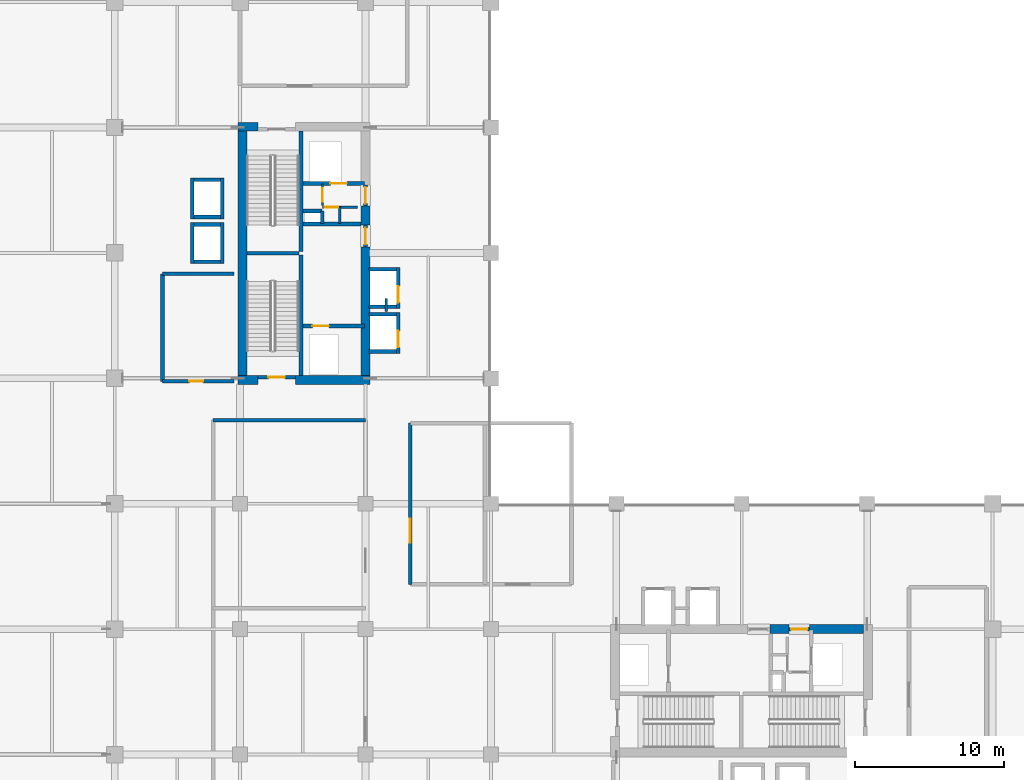
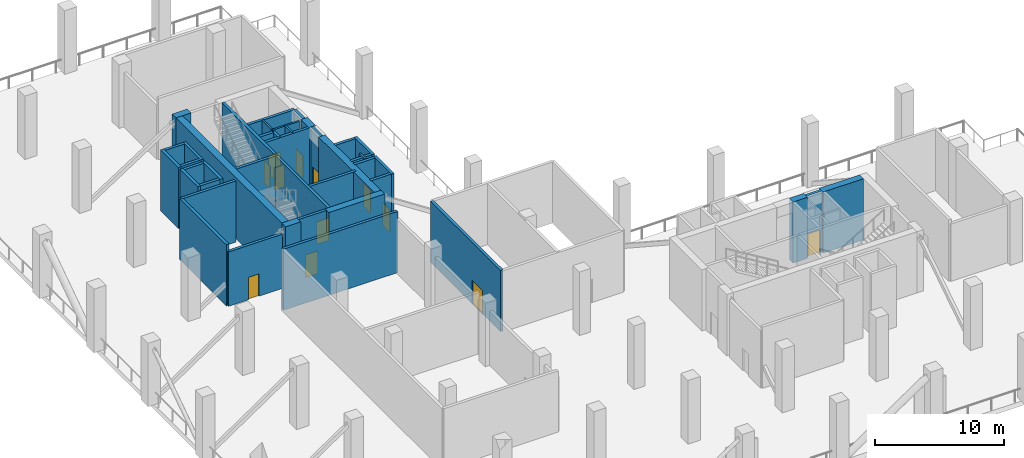
# One storey, part 12 of 18: 43 walls, 12 doors, 12 openings.
"""IFC4 building model written with IfcOpenShell, lengths in metres."""

from ifc_helpers import new_model, si_unit, direction, frame, frame_2d, origin, place, context, subcontext, project, spatial, rectangle, extrude, material, layer, layer_set, type_object, element, fill, save


model = new_model("IFC4")

# Units and contexts
model_context = context("Model", 3, precision=1e-05, world=origin(), true_north=direction((0.0, 1.0)))
body_context = subcontext(model_context, "Body", "Model", "MODEL_VIEW")
ifc_project = project(units=[si_unit("LENGTHUNIT", "METRE"), si_unit("AREAUNIT", "SQUARE_METRE"), si_unit("VOLUMEUNIT", "CUBIC_METRE"), si_unit("PLANEANGLEUNIT", "RADIAN"), si_unit("MASSUNIT", "GRAM", prefix="KILO")], contexts=[model_context])

# Site, building, storey
site_placement = place(None, origin())
site = spatial("IfcSite", under=ifc_project, at=site_placement, CompositionType="ELEMENT")
building_placement = place(site_placement, origin())
building = spatial("IfcBuilding", under=site, at=building_placement, Name="Koriwani Terraces Tower", CompositionType="ELEMENT")
storey_placement = place(building_placement, frame((0.0, 0.0, 228.199951171875)))
storey = spatial("IfcBuildingStorey", under=building, at=storey_placement, Name="L56", CompositionType="ELEMENT", Elevation=228.199951171875)

# Walls
ifc_material_1 = material(Name="Concrete C60/75", Category="concrete")
ifc_layer_1 = layer(ifc_material_1, 0.60009765625, Name="Concrete C60/75")
ifc_layer_set_1 = layer_set([ifc_layer_1], Name="Concrete C60/75")
wall_type_1 = type_object("IfcWallType", Name="WALL_CORE_RC_600", PredefinedType="SHEAR", material=ifc_layer_set_1)
wall_1_placement = place(storey_placement, frame((16.64990234375, 41.89990234375, 0.0), z_axis=(0.0, 0.0, 1.0), x_axis=(1.0, 0.0, 0.0)))
element("IfcWall", 1, at=wall_1_placement, inside=storey, type_object=wall_type_1, Name="L56 West Split Core Shear Wall S1", PredefinedType="SHEAR", context=body_context, shape_type="SweptSolid", body=[
    extrude(rectangle(XDim=1.35009765625, YDim=0.60009765625, at=frame_2d((0.675048828125, 0.0))), origin(), (0.0, 0.0, 1.0), 5.77001953125),
])
wall_2_placement = place(storey_placement, frame((20.5, 41.89990234375, 0.0), z_axis=(0.0, 0.0, 1.0), x_axis=(1.0, 0.0, 0.0)))
element("IfcWall", 2, at=wall_2_placement, inside=storey, type_object=wall_type_1, Name="L56 West Split Core Shear Wall S2", PredefinedType="SHEAR", context=body_context, shape_type="SweptSolid", body=[
    extrude(rectangle(XDim=5.0, YDim=0.60009765625, at=frame_2d((2.5, 0.0))), origin(), (0.0, 0.0, 1.0), 5.77001953125),
])
wall_3_placement = place(storey_placement, frame((16.64990234375, 58.85009765625, 0.0), z_axis=(0.0, 0.0, 1.0), x_axis=(1.0, 0.0, 0.0)))
element("IfcWall", 3, at=wall_3_placement, inside=storey, type_object=wall_type_1, Name="L56 West Split Core Shear Wall N1", PredefinedType="SHEAR", context=body_context, shape_type="SweptSolid", body=[
    extrude(rectangle(XDim=1.35009765625, YDim=0.60009765625, at=frame_2d((0.675048828125, 0.0))), origin(), (0.0, 0.0, 1.0), 5.77001953125),
])
wall_4_placement = place(storey_placement, frame((16.949951171875, 42.199951171875, 0.0), z_axis=(0.0, 0.0, 1.0), x_axis=(0.0, 1.0, 0.0)))
element("IfcWall", 4, at=wall_4_placement, inside=storey, type_object=wall_type_1, Name="L56 West Split Core Shear Wall W1", PredefinedType="SHEAR", context=body_context, shape_type="SweptSolid", body=[
    extrude(rectangle(XDim=16.35009765625, YDim=0.60009765625, at=frame_2d((8.175048828125, 0.0))), origin(), (0.0, 0.0, 1.0), 5.77001953125),
])
wall_5_placement = place(storey_placement, frame((25.199951171875, 42.199951171875, 0.0), z_axis=(0.0, 0.0, 1.0), x_axis=(0.0, 1.0, 0.0)))
element("IfcWall", 5, at=wall_5_placement, inside=storey, type_object=wall_type_1, Name="L56 West Split Core Shear Wall E1", PredefinedType="SHEAR", context=body_context, shape_type="SweptSolid", body=[
    extrude(rectangle(XDim=8.60009765625, YDim=0.60009765625, at=frame_2d((4.300048828125, 0.0))), origin(), (0.0, 0.0, 1.0), 5.77001953125),
])
for number, where, z_axis, x_axis, name in (
    (6, (25.199951171875, 52.280029296875, 0.0), (0.0, 0.0, 1.0), (0.0, 1.0, 0.0), "L56 West Split Core Shear Wall E2"),
    (7, (52.280029296875, 25.199951171875, 0.0), (0.0, 0.0, 1.0), (1.0, 0.0, 0.0), "L56 East Split Core Shear Wall N2"),
):
    element("IfcWall", number, at=place(storey_placement, frame(where, z_axis=z_axis, x_axis=x_axis)), inside=storey, type_object=wall_type_1, Name=name, PredefinedType="SHEAR", context=body_context, shape_type="SweptSolid", body=[
        extrude(rectangle(XDim=1.27001953125, YDim=0.60009765625, at=frame_2d((0.635009765625, 0.0))), origin(), (0.0, 0.0, 1.0), 5.77001953125),
    ])
wall_6_placement = place(storey_placement, frame((54.949951171875, 25.199951171875, 0.0), z_axis=(0.0, 0.0, 1.0), x_axis=(1.0, 0.0, 0.0)))
element("IfcWall", 8, at=wall_6_placement, inside=storey, type_object=wall_type_1, Name="L56 East Split Core Shear Wall N3", PredefinedType="SHEAR", context=body_context, shape_type="SweptSolid", body=[
    extrude(rectangle(XDim=3.60009765625, YDim=0.60009765625, at=frame_2d((1.800048828125, 0.0))), origin(), (0.0, 0.0, 1.0), 5.77001953125),
])
ifc_material_2 = material(Name="Concrete C40/50", Category="concrete")
ifc_layer_2 = layer(ifc_material_2, 0.25, Name="Concrete C40/50")
ifc_layer_set_2 = layer_set([ifc_layer_2], Name="Concrete C40/50")
wall_type_2 = type_object("IfcWallType", Name="WALL_SHAFT_RATED_250", PredefinedType="SOLIDWALL", material=ifc_layer_set_2)
for number, where, z_axis, x_axis, name in (
    (9, (20.875, 42.199951171875, 0.0), (0.0, 0.0, 1.0), (0.0, 1.0, 0.0), "L56 West Split Core Web Wall MID1"),
    (10, (20.875, 50.5, 0.0), (0.0, 0.0, 1.0), (0.0, 1.0, 0.0), "L56 West Split Core Web Wall MID2"),
):
    element("IfcWall", number, at=place(storey_placement, frame(where, z_axis=z_axis, x_axis=x_axis)), inside=storey, type_object=wall_type_2, Name=name, PredefinedType="SOLIDWALL", context=body_context, shape_type="SweptSolid", body=[
        extrude(rectangle(XDim=8.050048828125, YDim=0.25, at=frame_2d((4.02490234375, 0.0))), origin(), (0.0, 0.0, 1.0), 5.77001953125),
    ])
wall_7_placement = place(storey_placement, frame((17.25, 50.375, 0.0), z_axis=(0.0, 0.0, 1.0), x_axis=(1.0, 0.0, 0.0)))
element("IfcWall", 11, at=wall_7_placement, inside=storey, type_object=wall_type_2, Name="L56 West Split Core Stair Dividing Wall", PredefinedType="SOLIDWALL", context=body_context, shape_type="SweptSolid", body=[
    extrude(rectangle(XDim=3.5, YDim=0.25, at=frame_2d((1.75, 0.0))), origin(), (0.0, 0.0, 1.0), 5.77001953125),
])

# Wall, opening, door
wall_8_placement = place(storey_placement, frame((18.0, 42.074951171875, 0.0), z_axis=(0.0, 0.0, 1.0), x_axis=(1.0, 0.0, 0.0)))
wall_8 = element("IfcWall", 12, at=wall_8_placement, inside=storey, type_object=wall_type_2, Name="L56 Interior Wall WIN-CW-L56-STS", PredefinedType="SOLIDWALL", context=body_context, shape_type="SweptSolid", body=[
    extrude(rectangle(XDim=2.5, YDim=0.25, at=frame_2d((1.25, 0.0))), origin(), (0.0, 0.0, 1.0), 5.77001953125),
])
opening_1_placement = place(wall_8_placement, frame((0.699951171875, 0.0, 0.0)))
opening_1 = element("IfcOpeningElement", 13, at=opening_1_placement, cuts=wall_8, Name="Opening D-03", PredefinedType="OPENING", context=body_context, shape_type="SweptSolid", body=[
    extrude(rectangle(XDim=1.10009765625, YDim=2.14990234375, at=frame_2d((0.550048828125, 1.074951171875))), frame((0.0, 0.135009765625, 0.0), z_axis=(0.0, -1.0, 0.0), x_axis=(1.0, 0.0, 0.0)), (0.0, 0.0, 1.0), 0.27001953125),
])
ifc_material_3 = material(Name="Steel ASTM A572 Grade 50", Category="steel")
door_type_1 = type_object("IfcDoorType", Name="DOOR_STAIR_FIRE_1100X2150", OperationType="NOTDEFINED", PredefinedType="DOOR", material=ifc_material_3)
door_1_placement = place(opening_1_placement, origin())
door_1 = element("IfcDoor", 14, at=door_1_placement, inside=storey, type_object=door_type_1, Name="L56 Exit Stair ST-W1 Door", OperationType="SINGLE_SWING_RIGHT", OverallHeight=2.14990234375, OverallWidth=1.10009765625, PredefinedType="DOOR", context=body_context, shape_type="SweptSolid", body=[
    extrude(rectangle(XDim=1.10009765625, YDim=2.14990234375, at=frame_2d((0.550048828125, 1.074951171875))), frame((0.0, 0.02490234375, 0.0), z_axis=(0.0, -1.0, 0.0), x_axis=(1.0, 0.0, 0.0)), (0.0, 0.0, 1.0), 0.050048828125),
])
fill(opening_1, door_1)

wall_9_placement = place(storey_placement, frame((21.0, 45.5, 0.0), z_axis=(0.0, 0.0, 1.0), x_axis=(1.0, 0.0, 0.0)))
wall_9 = element("IfcWall", 15, at=wall_9_placement, inside=storey, type_object=wall_type_2, Name="L56 Interior Wall WIN-CW-L56-FE", PredefinedType="SOLIDWALL", context=body_context, shape_type="SweptSolid", body=[
    extrude(rectangle(XDim=4.14990234375, YDim=0.25, at=frame_2d((2.074951171875, 0.0))), origin(), (0.0, 0.0, 1.0), 5.77001953125),
])
opening_2_placement = place(wall_9_placement, frame((0.64990234375, 0.0, 0.0)))
opening_2 = element("IfcOpeningElement", 16, at=opening_2_placement, cuts=wall_9, Name="Opening LD-01", PredefinedType="OPENING", context=body_context, shape_type="SweptSolid", body=[
    extrude(rectangle(XDim=1.10009765625, YDim=2.14990234375, at=frame_2d((0.550048828125, 1.074951171875))), frame((0.0, 0.135009765625, 0.0), z_axis=(0.0, -1.0, 0.0), x_axis=(1.0, 0.0, 0.0)), (0.0, 0.0, 1.0), 0.27001953125),
])
door_type_2 = type_object("IfcDoorType", Name="DOOR_LIFT_LANDING_1100X2200", OperationType="NOTDEFINED", PredefinedType="DOOR", material=ifc_material_3)
door_2_placement = place(opening_2_placement, origin())
door_2 = element("IfcDoor", 17, at=door_2_placement, inside=storey, type_object=door_type_2, Name="L56 Firefighting Lift FE-01 Landing Door", OperationType="SLIDING_TO_LEFT", OverallHeight=2.14990234375, OverallWidth=1.10009765625, PredefinedType="DOOR", context=body_context, shape_type="SweptSolid", body=[
    extrude(rectangle(XDim=1.10009765625, YDim=2.14990234375, at=frame_2d((0.550048828125, 1.074951171875))), frame((0.0, 0.02490234375, 0.0), z_axis=(0.0, -1.0, 0.0), x_axis=(1.0, 0.0, 0.0)), (0.0, 0.0, 1.0), 0.050048828125),
])
fill(opening_2, door_2)

wall_10_placement = place(storey_placement, frame((25.199951171875, 50.800048828125, 0.0), z_axis=(0.0, 0.0, 1.0), x_axis=(0.0, 1.0, 0.0)))
wall_10 = element("IfcWall", 18, at=wall_10_placement, inside=storey, type_object=wall_type_2, Name="L56 Interior Wall WIN-CW-L56-EP", PredefinedType="SOLIDWALL", context=body_context, shape_type="SweptSolid", body=[
    extrude(rectangle(XDim=1.47998046875, YDim=0.25, at=frame_2d((0.739990234375, 0.0))), origin(), (0.0, 0.0, 1.0), 5.77001953125),
])
opening_3_placement = place(wall_10_placement, frame((0.179931640625, 0.0, 0.0)))
opening_3 = element("IfcOpeningElement", 19, at=opening_3_placement, cuts=wall_10, Name="Opening D-03", PredefinedType="OPENING", context=body_context, shape_type="SweptSolid", body=[
    extrude(rectangle(XDim=1.10009765625, YDim=2.14990234375, at=frame_2d((0.550048828125, 1.074951171875))), frame((0.0, 0.135009765625, 0.0), z_axis=(0.0, -1.0, 0.0), x_axis=(1.0, 0.0, 0.0)), (0.0, 0.0, 1.0), 0.27001953125),
])
door_3_placement = place(opening_3_placement, origin())
door_3 = element("IfcDoor", 20, at=door_3_placement, inside=storey, type_object=door_type_1, Name="L56 West Firefighting Lobby Door", OperationType="SINGLE_SWING_RIGHT", OverallHeight=2.14990234375, OverallWidth=1.10009765625, PredefinedType="DOOR", context=body_context, shape_type="SweptSolid", body=[
    extrude(rectangle(XDim=1.10009765625, YDim=2.14990234375, at=frame_2d((0.550048828125, 1.074951171875))), frame((0.0, 0.02490234375, 0.0), z_axis=(0.0, -1.0, 0.0), x_axis=(1.0, 0.0, 0.0)), (0.0, 0.0, 1.0), 0.050048828125),
])
fill(opening_3, door_3)

# Wall
wall_11_placement = place(storey_placement, frame((21.0, 52.340087890625, 0.0), z_axis=(0.0, 0.0, 1.0), x_axis=(1.0, 0.0, 0.0)))
element("IfcWall", 21, at=wall_11_placement, inside=storey, type_object=wall_type_2, Name="L56 Interior Wall WIN-CW-L56-FFN", PredefinedType="SOLIDWALL", context=body_context, shape_type="SweptSolid", body=[
    extrude(rectangle(XDim=3.89990234375, YDim=0.25, at=frame_2d((1.949951171875, 0.0))), origin(), (0.0, 0.0, 1.0), 5.77001953125),
])

# Wall, opening, door
wall_12_placement = place(storey_placement, frame((21.0, 55.050048828125, 0.0), z_axis=(0.0, 0.0, 1.0), x_axis=(1.0, 0.0, 0.0)))
wall_12 = element("IfcWall", 22, at=wall_12_placement, inside=storey, type_object=wall_type_2, Name="L56 Interior Wall WIN-CW-L56-SE", PredefinedType="SOLIDWALL", context=body_context, shape_type="SweptSolid", body=[
    extrude(rectangle(XDim=4.14990234375, YDim=0.25, at=frame_2d((2.074951171875, 0.0))), origin(), (0.0, 0.0, 1.0), 5.77001953125),
])
opening_4_placement = place(wall_12_placement, frame((1.85009765625, 0.0, 0.0)))
opening_4 = element("IfcOpeningElement", 23, at=opening_4_placement, cuts=wall_12, Name="Opening LD-01", PredefinedType="OPENING", context=body_context, shape_type="SweptSolid", body=[
    extrude(rectangle(XDim=1.10009765625, YDim=2.14990234375, at=frame_2d((0.550048828125, 1.074951171875))), frame((0.0, 0.135009765625, 0.0), z_axis=(0.0, -1.0, 0.0), x_axis=(1.0, 0.0, 0.0)), (0.0, 0.0, 1.0), 0.27001953125),
])
door_4_placement = place(opening_4_placement, origin())
door_4 = element("IfcDoor", 24, at=door_4_placement, inside=storey, type_object=door_type_2, Name="L56 Goods Lift SE-01 Landing Door", OperationType="SLIDING_TO_LEFT", OverallHeight=2.14990234375, OverallWidth=1.10009765625, PredefinedType="DOOR", context=body_context, shape_type="SweptSolid", body=[
    extrude(rectangle(XDim=1.10009765625, YDim=2.14990234375, at=frame_2d((0.550048828125, 1.074951171875))), frame((0.0, 0.02490234375, 0.0), z_axis=(0.0, -1.0, 0.0), x_axis=(1.0, 0.0, 0.0)), (0.0, 0.0, 1.0), 0.050048828125),
])
fill(opening_4, door_4)

wall_13_placement = place(storey_placement, frame((25.199951171875, 53.550048828125, 0.0), z_axis=(0.0, 0.0, 1.0), x_axis=(0.0, 1.0, 0.0)))
wall_13 = element("IfcWall", 25, at=wall_13_placement, inside=storey, type_object=wall_type_2, Name="L56 Interior Wall WIN-CW-L56-EP2", PredefinedType="SOLIDWALL", context=body_context, shape_type="SweptSolid", body=[
    extrude(rectangle(XDim=1.39990234375, YDim=0.25, at=frame_2d((0.699951171875, 0.0))), origin(), (0.0, 0.0, 1.0), 5.77001953125),
])
opening_5_placement = place(wall_13_placement, frame((0.14990234375, 0.0, 0.0)))
opening_5 = element("IfcOpeningElement", 26, at=opening_5_placement, cuts=wall_13, Name="Opening D-03", PredefinedType="OPENING", context=body_context, shape_type="SweptSolid", body=[
    extrude(rectangle(XDim=1.10009765625, YDim=2.14990234375, at=frame_2d((0.550048828125, 1.074951171875))), frame((0.0, 0.135009765625, 0.0), z_axis=(0.0, -1.0, 0.0), x_axis=(1.0, 0.0, 0.0)), (0.0, 0.0, 1.0), 0.27001953125),
])
door_5_placement = place(opening_5_placement, origin())
door_5 = element("IfcDoor", 27, at=door_5_placement, inside=storey, type_object=door_type_1, Name="L56 West Goods Lift Lobby Door", OperationType="SINGLE_SWING_LEFT", OverallHeight=2.14990234375, OverallWidth=1.10009765625, PredefinedType="DOOR", context=body_context, shape_type="SweptSolid", body=[
    extrude(rectangle(XDim=1.10009765625, YDim=2.14990234375, at=frame_2d((0.550048828125, 1.074951171875))), frame((0.0, 0.02490234375, 0.0), z_axis=(0.0, -1.0, 0.0), x_axis=(1.0, 0.0, 0.0)), (0.0, 0.0, 1.0), 0.050048828125),
])
fill(opening_5, door_5)

# Walls
wall_14_placement = place(storey_placement, frame((21.0, 53.199951171875, 0.0), z_axis=(0.0, 0.0, 1.0), x_axis=(1.0, 0.0, 0.0)))
element("IfcWall", 28, at=wall_14_placement, inside=storey, type_object=wall_type_2, Name="L56 Interior Wall WIN-CW-L56-RS1", PredefinedType="SOLIDWALL", context=body_context, shape_type="SweptSolid", body=[
    extrude(rectangle(XDim=1.300048828125, YDim=0.25, at=frame_2d((0.64990234375, 0.0))), origin(), (0.0, 0.0, 1.0), 5.77001953125),
])
wall_15_placement = place(storey_placement, frame((22.300048828125, 52.360107421875, 0.0), z_axis=(0.0, 0.0, 1.0), x_axis=(0.0, 1.0, 0.0)))
element("IfcWall", 29, at=wall_15_placement, inside=storey, type_object=wall_type_2, Name="L56 Interior Wall WIN-CW-L56-RS2", PredefinedType="SOLIDWALL", context=body_context, shape_type="SweptSolid", body=[
    extrude(rectangle(XDim=0.83984375, YDim=0.25, at=frame_2d((0.419921875, 0.0))), origin(), (0.0, 0.0, 1.0), 5.77001953125),
])

# Wall, opening, door
wall_16_placement = place(storey_placement, frame((53.550048828125, 25.199951171875, 0.0), z_axis=(0.0, 0.0, 1.0), x_axis=(1.0, 0.0, 0.0)))
wall_16 = element("IfcWall", 30, at=wall_16_placement, inside=storey, type_object=wall_type_2, Name="L56 Interior Wall WIN-CE-L56-NP2", PredefinedType="SOLIDWALL", context=body_context, shape_type="SweptSolid", body=[
    extrude(rectangle(XDim=1.39990234375, YDim=0.25, at=frame_2d((0.699951171875, 0.0))), origin(), (0.0, 0.0, 1.0), 5.77001953125),
])
opening_6_placement = place(wall_16_placement, frame((0.14990234375, 0.0, 0.0)))
opening_6 = element("IfcOpeningElement", 31, at=opening_6_placement, cuts=wall_16, Name="Opening D-03", PredefinedType="OPENING", context=body_context, shape_type="SweptSolid", body=[
    extrude(rectangle(XDim=1.10009765625, YDim=2.14990234375, at=frame_2d((0.550048828125, 1.074951171875))), frame((0.0, 0.135009765625, 0.0), z_axis=(0.0, -1.0, 0.0), x_axis=(1.0, 0.0, 0.0)), (0.0, 0.0, 1.0), 0.27001953125),
])
door_6_placement = place(opening_6_placement, origin())
door_6 = element("IfcDoor", 32, at=door_6_placement, inside=storey, type_object=door_type_1, Name="L56 East Goods Lift Lobby Door", OperationType="SINGLE_SWING_RIGHT", OverallHeight=2.14990234375, OverallWidth=1.10009765625, PredefinedType="DOOR", context=body_context, shape_type="SweptSolid", body=[
    extrude(rectangle(XDim=1.10009765625, YDim=2.14990234375, at=frame_2d((0.550048828125, 1.074951171875))), frame((0.0, 0.02490234375, 0.0), z_axis=(0.0, -1.0, 0.0), x_axis=(1.0, 0.0, 0.0)), (0.0, 0.0, 1.0), 0.050048828125),
])
fill(opening_6, door_6)

# Walls
for number, where, z_axis, x_axis, name in (
    (33, (13.60009765625, 49.675048828125, 0.0), (0.0, 0.0, 1.0), (0.0, 1.0, 0.0), "L56 Interior Wall WIN-LF-PE-M1-L56-F"),
    (34, (15.60009765625, 49.675048828125, 0.0), (0.0, 0.0, 1.0), (0.0, 1.0, 0.0), "L56 Interior Wall WIN-LF-PE-M1-L56-B"),
):
    element("IfcWall", number, at=place(storey_placement, frame(where, z_axis=z_axis, x_axis=x_axis)), inside=storey, type_object=wall_type_2, Name=name, PredefinedType="SOLIDWALL", context=body_context, shape_type="SweptSolid", body=[
        extrude(rectangle(XDim=2.75, YDim=0.25, at=frame_2d((1.375, 0.0))), origin(), (0.0, 0.0, 1.0), 5.77001953125),
    ])
for number, where, z_axis, x_axis, name in (
    (35, (13.72509765625, 49.800048828125, 0.0), (0.0, 0.0, 1.0), (1.0, 0.0, 0.0), "L56 Interior Wall WIN-LF-PE-M1-L56-S"),
    (36, (13.72509765625, 52.300048828125, 0.0), (0.0, 0.0, 1.0), (1.0, 0.0, 0.0), "L56 Interior Wall WIN-LF-PE-M1-L56-N"),
):
    element("IfcWall", number, at=place(storey_placement, frame(where, z_axis=z_axis, x_axis=x_axis)), inside=storey, type_object=wall_type_2, Name=name, PredefinedType="SOLIDWALL", context=body_context, shape_type="SweptSolid", body=[
        extrude(rectangle(XDim=1.75, YDim=0.25, at=frame_2d((0.875, 0.0))), origin(), (0.0, 0.0, 1.0), 5.77001953125),
    ])
for number, where, z_axis, x_axis, name in (
    (37, (13.60009765625, 52.675048828125, 0.0), (0.0, 0.0, 1.0), (0.0, 1.0, 0.0), "L56 Interior Wall WIN-LF-PE-M2-L56-F"),
    (38, (15.60009765625, 52.675048828125, 0.0), (0.0, 0.0, 1.0), (0.0, 1.0, 0.0), "L56 Interior Wall WIN-LF-PE-M2-L56-B"),
):
    element("IfcWall", number, at=place(storey_placement, frame(where, z_axis=z_axis, x_axis=x_axis)), inside=storey, type_object=wall_type_2, Name=name, PredefinedType="SOLIDWALL", context=body_context, shape_type="SweptSolid", body=[
        extrude(rectangle(XDim=2.75, YDim=0.25, at=frame_2d((1.375, 0.0))), origin(), (0.0, 0.0, 1.0), 5.77001953125),
    ])
for number, where, z_axis, x_axis, name in (
    (39, (13.72509765625, 52.800048828125, 0.0), (0.0, 0.0, 1.0), (1.0, 0.0, 0.0), "L56 Interior Wall WIN-LF-PE-M2-L56-S"),
    (40, (13.72509765625, 55.300048828125, 0.0), (0.0, 0.0, 1.0), (1.0, 0.0, 0.0), "L56 Interior Wall WIN-LF-PE-M2-L56-N"),
):
    element("IfcWall", number, at=place(storey_placement, frame(where, z_axis=z_axis, x_axis=x_axis)), inside=storey, type_object=wall_type_2, Name=name, PredefinedType="SOLIDWALL", context=body_context, shape_type="SweptSolid", body=[
        extrude(rectangle(XDim=1.75, YDim=0.25, at=frame_2d((0.875, 0.0))), origin(), (0.0, 0.0, 1.0), 5.77001953125),
    ])

# Wall, opening, door
wall_17_placement = place(storey_placement, frame((27.39990234375, 43.675048828125, 0.0), z_axis=(0.0, 0.0, 1.0), x_axis=(0.0, 1.0, 0.0)))
wall_17 = element("IfcWall", 41, at=wall_17_placement, inside=storey, type_object=wall_type_2, Name="L56 Interior Wall WIN-LF-PE-H1-L56-F", PredefinedType="SOLIDWALL", context=body_context, shape_type="SweptSolid", body=[
    extrude(rectangle(XDim=2.75, YDim=0.25, at=frame_2d((1.375, 0.0))), origin(), (0.0, 0.0, 1.0), 5.77001953125),
])
opening_7_placement = place(wall_17_placement, frame((0.39990234375, 0.0, 0.0)))
opening_7 = element("IfcOpeningElement", 42, at=opening_7_placement, cuts=wall_17, Name="Opening LD-01", PredefinedType="OPENING", context=body_context, shape_type="SweptSolid", body=[
    extrude(rectangle(XDim=1.10009765625, YDim=2.14990234375, at=frame_2d((0.550048828125, 1.074951171875))), frame((0.0, 0.135009765625, 0.0), z_axis=(0.0, -1.0, 0.0), x_axis=(1.0, 0.0, 0.0)), (0.0, 0.0, 1.0), 0.27001953125),
])
door_7_placement = place(opening_7_placement, origin())
door_7 = element("IfcDoor", 43, at=door_7_placement, inside=storey, type_object=door_type_2, Name="L56 Passenger Lift PE-H1 Landing Door", OperationType="SLIDING_TO_LEFT", OverallHeight=2.14990234375, OverallWidth=1.10009765625, PredefinedType="DOOR", context=body_context, shape_type="SweptSolid", body=[
    extrude(rectangle(XDim=1.10009765625, YDim=2.14990234375, at=frame_2d((0.550048828125, 1.074951171875))), frame((0.0, 0.02490234375, 0.0), z_axis=(0.0, -1.0, 0.0), x_axis=(1.0, 0.0, 0.0)), (0.0, 0.0, 1.0), 0.050048828125),
])
fill(opening_7, door_7)

# Walls
for number, where, z_axis, x_axis, name in (
    (44, (25.449951171875, 43.800048828125, 0.0), (0.0, 0.0, 1.0), (1.0, 0.0, 0.0), "L56 Interior Wall WIN-LF-PE-H1-L56-S"),
    (45, (25.449951171875, 46.300048828125, 0.0), (0.0, 0.0, 1.0), (1.0, 0.0, 0.0), "L56 Interior Wall WIN-LF-PE-H1-L56-N"),
):
    element("IfcWall", number, at=place(storey_placement, frame(where, z_axis=z_axis, x_axis=x_axis)), inside=storey, type_object=wall_type_2, Name=name, PredefinedType="SOLIDWALL", context=body_context, shape_type="SweptSolid", body=[
        extrude(rectangle(XDim=1.824951171875, YDim=0.25, at=frame_2d((0.91259765625, 0.0))), origin(), (0.0, 0.0, 1.0), 5.77001953125),
    ])

# Wall, opening, door
wall_18_placement = place(storey_placement, frame((27.39990234375, 46.675048828125, 0.0), z_axis=(0.0, 0.0, 1.0), x_axis=(0.0, 1.0, 0.0)))
wall_18 = element("IfcWall", 46, at=wall_18_placement, inside=storey, type_object=wall_type_2, Name="L56 Interior Wall WIN-LF-PE-H2-L56-F", PredefinedType="SOLIDWALL", context=body_context, shape_type="SweptSolid", body=[
    extrude(rectangle(XDim=2.75, YDim=0.25, at=frame_2d((1.375, 0.0))), origin(), (0.0, 0.0, 1.0), 5.77001953125),
])
opening_8_placement = place(wall_18_placement, frame((0.39990234375, 0.0, 0.0)))
opening_8 = element("IfcOpeningElement", 47, at=opening_8_placement, cuts=wall_18, Name="Opening LD-01", PredefinedType="OPENING", context=body_context, shape_type="SweptSolid", body=[
    extrude(rectangle(XDim=1.10009765625, YDim=2.14990234375, at=frame_2d((0.550048828125, 1.074951171875))), frame((0.0, 0.135009765625, 0.0), z_axis=(0.0, -1.0, 0.0), x_axis=(1.0, 0.0, 0.0)), (0.0, 0.0, 1.0), 0.27001953125),
])
door_8_placement = place(opening_8_placement, origin())
door_8 = element("IfcDoor", 48, at=door_8_placement, inside=storey, type_object=door_type_2, Name="L56 Passenger Lift PE-H2 Landing Door", OperationType="SLIDING_TO_LEFT", OverallHeight=2.14990234375, OverallWidth=1.10009765625, PredefinedType="DOOR", context=body_context, shape_type="SweptSolid", body=[
    extrude(rectangle(XDim=1.10009765625, YDim=2.14990234375, at=frame_2d((0.550048828125, 1.074951171875))), frame((0.0, 0.02490234375, 0.0), z_axis=(0.0, -1.0, 0.0), x_axis=(1.0, 0.0, 0.0)), (0.0, 0.0, 1.0), 0.050048828125),
])
fill(opening_8, door_8)

# Walls
for number, where, z_axis, x_axis, name in (
    (49, (25.449951171875, 46.800048828125, 0.0), (0.0, 0.0, 1.0), (1.0, 0.0, 0.0), "L56 Interior Wall WIN-LF-PE-H2-L56-S"),
    (50, (25.449951171875, 49.300048828125, 0.0), (0.0, 0.0, 1.0), (1.0, 0.0, 0.0), "L56 Interior Wall WIN-LF-PE-H2-L56-N"),
):
    element("IfcWall", number, at=place(storey_placement, frame(where, z_axis=z_axis, x_axis=x_axis)), inside=storey, type_object=wall_type_2, Name=name, PredefinedType="SOLIDWALL", context=body_context, shape_type="SweptSolid", body=[
        extrude(rectangle(XDim=1.824951171875, YDim=0.25, at=frame_2d((0.91259765625, 0.0))), origin(), (0.0, 0.0, 1.0), 5.77001953125),
    ])
wall_19_placement = place(storey_placement, frame((15.0, 39.199951171875, 0.0), z_axis=(0.0, 0.0, 1.0), x_axis=(1.0, 0.0, 0.0)))
element("IfcWall", 51, at=wall_19_placement, inside=storey, type_object=wall_type_2, Name="L56 Interior Wall WPL-L56-N", PredefinedType="SOLIDWALL", context=body_context, shape_type="SweptSolid", body=[
    extrude(rectangle(XDim=10.199951171875, YDim=0.25, at=frame_2d((5.10009765625, 0.0))), origin(), (0.0, 0.0, 1.0), 5.77001953125),
])

# Wall, opening, door
wall_20_placement = place(storey_placement, frame((28.199951171875, 28.199951171875, 0.0), z_axis=(0.0, 0.0, 1.0), x_axis=(0.0, 1.0, 0.0)))
wall_20 = element("IfcWall", 52, at=wall_20_placement, inside=storey, type_object=wall_type_2, Name="L56 Interior Wall WPL2-L56-W", PredefinedType="SOLIDWALL", context=body_context, shape_type="SweptSolid", body=[
    extrude(rectangle(XDim=10.800048828125, YDim=0.25, at=frame_2d((5.39990234375, 0.0))), origin(), (0.0, 0.0, 1.0), 5.77001953125),
])
opening_9_placement = place(wall_20_placement, frame((2.800048828125, 0.0, 0.0)))
opening_9 = element("IfcOpeningElement", 53, at=opening_9_placement, cuts=wall_20, Name="Opening D-08", PredefinedType="OPENING", context=body_context, shape_type="SweptSolid", body=[
    extrude(rectangle(XDim=1.60009765625, YDim=2.199951171875, at=frame_2d((0.800048828125, 1.10009765625))), frame((0.0, 0.135009765625, 0.0), z_axis=(0.0, -1.0, 0.0), x_axis=(1.0, 0.0, 0.0)), (0.0, 0.0, 1.0), 0.27001953125),
])
door_type_3 = type_object("IfcDoorType", Name="DOOR_PLANT_DOUBLE_1600X2200", OperationType="NOTDEFINED", PredefinedType="DOOR", material=ifc_material_3)
door_9_placement = place(opening_9_placement, origin())
door_9 = element("IfcDoor", 54, at=door_9_placement, inside=storey, type_object=door_type_3, Name="L56 Booster Pump and Tank Room Door", OperationType="SINGLE_SWING_RIGHT", OverallHeight=2.199951171875, OverallWidth=1.60009765625, PredefinedType="DOOR", context=body_context, shape_type="SweptSolid", body=[
    extrude(rectangle(XDim=1.60009765625, YDim=2.199951171875, at=frame_2d((0.800048828125, 1.10009765625))), frame((0.0, 0.02490234375, 0.0), z_axis=(0.0, -1.0, 0.0), x_axis=(1.0, 0.0, 0.0)), (0.0, 0.0, 1.0), 0.050048828125),
])
fill(opening_9, door_9)

wall_21_placement = place(storey_placement, frame((11.60009765625, 41.800048828125, 0.0), z_axis=(0.0, 0.0, 1.0), x_axis=(1.0, 0.0, 0.0)))
wall_21 = element("IfcWall", 55, at=wall_21_placement, inside=storey, type_object=wall_type_2, Name="L56 Interior Wall WPL-RECW1-L56", PredefinedType="SOLIDWALL", context=body_context, shape_type="SweptSolid", body=[
    extrude(rectangle(XDim=4.7998046875, YDim=0.25, at=frame_2d((2.39990234375, 0.0))), origin(), (0.0, 0.0, 1.0), 5.1201171875),
])
opening_10_placement = place(wall_21_placement, frame((1.800048828125, 0.0, 0.0)))
opening_10 = element("IfcOpeningElement", 56, at=opening_10_placement, cuts=wall_21, Name="Opening D-06", PredefinedType="OPENING", context=body_context, shape_type="SweptSolid", body=[
    extrude(rectangle(XDim=0.919921875, YDim=2.10009765625, at=frame_2d((0.4599609375, 1.050048828125))), frame((0.0, 0.135009765625, 0.0), z_axis=(0.0, -1.0, 0.0), x_axis=(1.0, 0.0, 0.0)), (0.0, 0.0, 1.0), 0.27001953125),
])
ifc_material_4 = material(Name="Architectural Oak Fire Door", Category="wood")
door_type_4 = type_object("IfcDoorType", Name="DOOR_ROOM_INT_920X2100", OperationType="NOTDEFINED", PredefinedType="DOOR", material=ifc_material_4)
door_10_placement = place(opening_10_placement, origin())
door_10 = element("IfcDoor", 57, at=door_10_placement, inside=storey, type_object=door_type_4, Name="L56 Reclaimed West Telemetry Room Door", OperationType="SINGLE_SWING_RIGHT", OverallHeight=2.10009765625, OverallWidth=0.919921875, PredefinedType="DOOR", context=body_context, shape_type="SweptSolid", body=[
    extrude(rectangle(XDim=0.919921875, YDim=2.10009765625, at=frame_2d((0.4599609375, 1.050048828125))), frame((0.0, 0.02490234375, 0.0), z_axis=(0.0, -1.0, 0.0), x_axis=(1.0, 0.0, 0.0)), (0.0, 0.0, 1.0), 0.050048828125),
])
fill(opening_10, door_10)

# Walls
wall_22_placement = place(storey_placement, frame((11.60009765625, 41.800048828125, 0.0), z_axis=(0.0, 0.0, 1.0), x_axis=(0.0, 1.0, 0.0)))
element("IfcWall", 58, at=wall_22_placement, inside=storey, type_object=wall_type_2, Name="L56 Interior Wall WPL-RECW2-L56", PredefinedType="SOLIDWALL", context=body_context, shape_type="SweptSolid", body=[
    extrude(rectangle(XDim=7.199951171875, YDim=0.25, at=frame_2d((3.60009765625, 0.0))), origin(), (0.0, 0.0, 1.0), 5.77001953125),
])
wall_23_placement = place(storey_placement, frame((11.60009765625, 49.0, 0.0), z_axis=(0.0, 0.0, 1.0), x_axis=(1.0, 0.0, 0.0)))
element("IfcWall", 59, at=wall_23_placement, inside=storey, type_object=wall_type_2, Name="L56 Interior Wall WPL-RECW3-L56", PredefinedType="SOLIDWALL", context=body_context, shape_type="SweptSolid", body=[
    extrude(rectangle(XDim=4.7998046875, YDim=0.25, at=frame_2d((2.39990234375, 0.0))), origin(), (0.0, 0.0, 1.0), 5.77001953125),
])

# Wall, opening, door
ifc_material_5 = material(Name="Fire-Rated Acoustic Gypsum Partition", Category="masonry")
ifc_layer_3 = layer(ifc_material_5, 0.159912109375, Name="Fire-Rated Acoustic Gypsum Partition")
ifc_layer_set_3 = layer_set([ifc_layer_3], Name="Fire-Rated Acoustic Gypsum Partition")
wall_type_3 = type_object("IfcWallType", Name="WALL_SUITE_160", PredefinedType="PARTITIONING", material=ifc_layer_set_3)
wall_24_placement = place(storey_placement, frame((22.320068359375, 53.56005859375, 0.0), z_axis=(0.0, 0.0, 1.0), x_axis=(0.0, 1.0, 0.0)))
wall_24 = element("IfcWall", 60, at=wall_24_placement, inside=storey, type_object=wall_type_3, Name="L56 Interior Wall WIN-CW-L56-SV2A", PredefinedType="PARTITIONING", context=body_context, shape_type="SweptSolid", body=[
    extrude(rectangle(XDim=1.43994140625, YDim=0.159912109375, at=frame_2d((0.719970703125, 0.0))), origin(), (0.0, 0.0, 1.0), 5.77001953125),
])
opening_11_placement = place(wall_24_placement, frame((0.260009765625, 0.0, 0.0)))
opening_11 = element("IfcOpeningElement", 61, at=opening_11_placement, cuts=wall_24, Name="Opening D-07", PredefinedType="OPENING", context=body_context, shape_type="SweptSolid", body=[
    extrude(rectangle(XDim=0.89990234375, YDim=2.10009765625, at=frame_2d((0.449951171875, 1.050048828125))), frame((0.0, 0.08984375, 0.0), z_axis=(0.0, -1.0, 0.0), x_axis=(1.0, 0.0, 0.0)), (0.0, 0.0, 1.0), 0.179931640625),
])
door_type_5 = type_object("IfcDoorType", Name="DOOR_BATH_INT_900X2100", OperationType="NOTDEFINED", PredefinedType="DOOR", material=ifc_material_4)
door_11_placement = place(opening_11_placement, origin())
door_11 = element("IfcDoor", 62, at=door_11_placement, inside=storey, type_object=door_type_5, Name="L56 West Meter Room Door", OperationType="SINGLE_SWING_RIGHT", OverallHeight=2.10009765625, OverallWidth=0.89990234375, PredefinedType="DOOR", context=body_context, shape_type="SweptSolid", body=[
    extrude(rectangle(XDim=0.89990234375, YDim=2.10009765625, at=frame_2d((0.449951171875, 1.050048828125))), frame((0.0, 0.02490234375, 0.0), z_axis=(0.0, -1.0, 0.0), x_axis=(1.0, 0.0, 0.0)), (0.0, 0.0, 1.0), 0.050048828125),
])
fill(opening_11, door_11)

wall_25_placement = place(storey_placement, frame((22.320068359375, 53.4599609375, 0.0), z_axis=(0.0, 0.0, 1.0), x_axis=(1.0, 0.0, 0.0)))
wall_25 = element("IfcWall", 63, at=wall_25_placement, inside=storey, type_object=wall_type_3, Name="L56 Interior Wall WIN-CW-L56-SV2H", PredefinedType="PARTITIONING", context=body_context, shape_type="SweptSolid", body=[
    extrude(rectangle(XDim=2.35986328125, YDim=0.159912109375, at=frame_2d((1.179931640625, 0.0))), origin(), (0.0, 0.0, 1.0), 5.77001953125),
])
opening_12_placement = place(wall_25_placement, frame((0.159912109375, 0.0, 0.0)))
opening_12 = element("IfcOpeningElement", 64, at=opening_12_placement, cuts=wall_25, Name="Opening D-07", PredefinedType="OPENING", context=body_context, shape_type="SweptSolid", body=[
    extrude(rectangle(XDim=0.89990234375, YDim=2.10009765625, at=frame_2d((0.449951171875, 1.050048828125))), frame((0.0, 0.08984375, 0.0), z_axis=(0.0, -1.0, 0.0), x_axis=(1.0, 0.0, 0.0)), (0.0, 0.0, 1.0), 0.179931640625),
])
door_12_placement = place(opening_12_placement, origin())
door_12 = element("IfcDoor", 65, at=door_12_placement, inside=storey, type_object=door_type_5, Name="L56 West Valve Room Door", OperationType="SINGLE_SWING_LEFT", OverallHeight=2.10009765625, OverallWidth=0.89990234375, PredefinedType="DOOR", context=body_context, shape_type="SweptSolid", body=[
    extrude(rectangle(XDim=0.89990234375, YDim=2.10009765625, at=frame_2d((0.449951171875, 1.050048828125))), frame((0.0, 0.02490234375, 0.0), z_axis=(0.0, -1.0, 0.0), x_axis=(1.0, 0.0, 0.0)), (0.0, 0.0, 1.0), 0.050048828125),
])
fill(opening_12, door_12)

# Walls
wall_26_placement = place(storey_placement, frame((23.47998046875, 52.360107421875, 0.0), z_axis=(0.0, 0.0, 1.0), x_axis=(0.0, 1.0, 0.0)))
element("IfcWall", 66, at=wall_26_placement, inside=storey, type_object=wall_type_3, Name="L56 Interior Wall WIN-CW-L56-SV2V", PredefinedType="PARTITIONING", context=body_context, shape_type="SweptSolid", body=[
    extrude(rectangle(XDim=1.099853515625, YDim=0.159912109375, at=frame_2d((0.5498046875, 0.0))), origin(), (0.0, 0.0, 1.0), 5.77001953125),
])
wall_27_placement = place(storey_placement, frame((26.60009765625, 46.4599609375, 0.0), z_axis=(0.0, 0.0, 1.0), x_axis=(0.0, 1.0, 0.0)))
element("IfcWall", 67, at=wall_27_placement, inside=storey, type_object=wall_type_3, Name="L56 Interior Wall WIN-LF-PEH12-MID-L56", PredefinedType="PARTITIONING", context=body_context, shape_type="SweptSolid", body=[
    extrude(rectangle(XDim=0.880126953125, YDim=0.159912109375, at=frame_2d((0.43994140625, 0.0))), origin(), (0.0, 0.0, 1.0), 5.77001953125),
])

save(model, "model.ifc")
